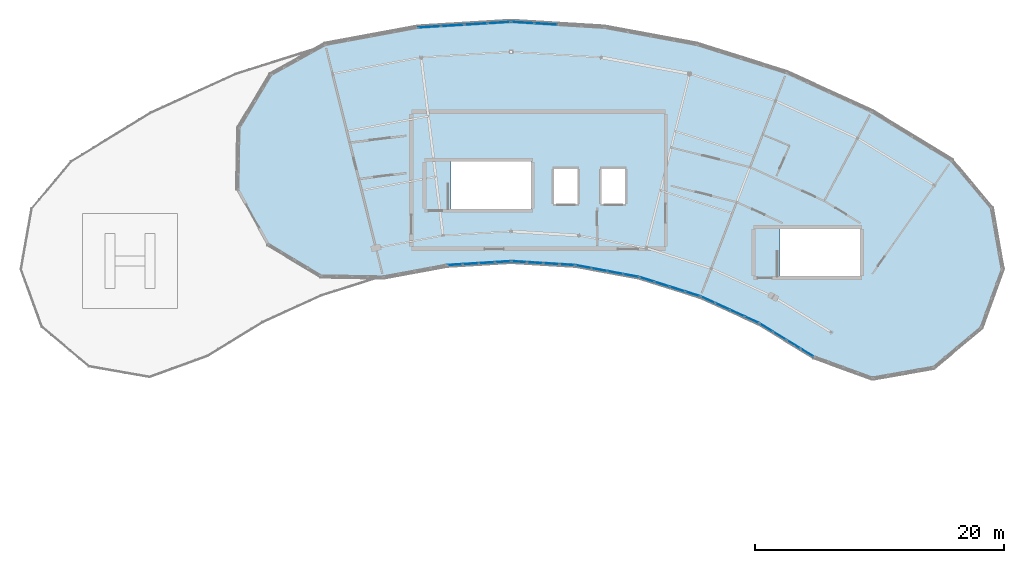
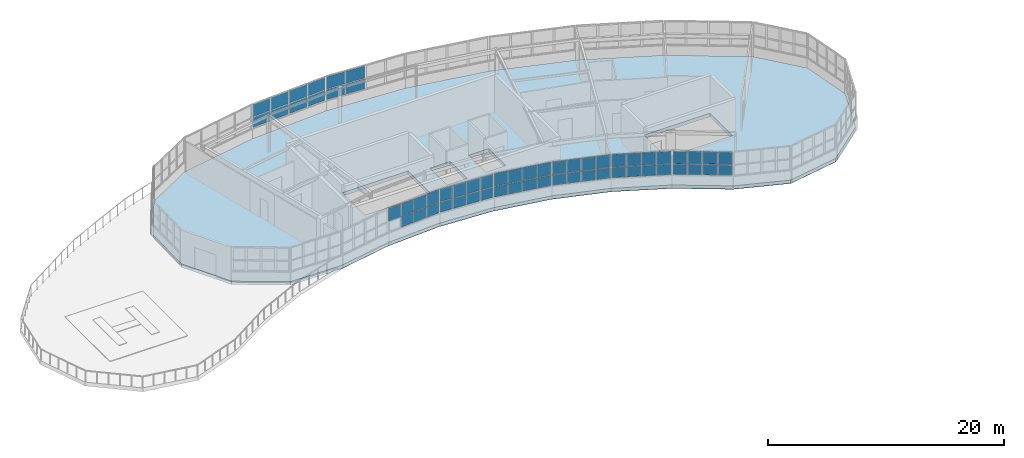
# One storey, part 17 of 26: 59 plates, 1 slab, 8 elements without a shape of their own.
"""IFC4 building model written with IfcOpenShell, lengths in metres."""

import ifcopenshell
import ifcopenshell.guid

model = None  # the IFC model being written
_history = None  # IfcOwnerHistory: only IFC2X3 demands one
_inside = {}  # id of a spatial element -> (the spatial element, [elements in it])
_under = {}  # id of a project, library or spatial element -> (it, [spatial elements below it])
_declared = {}  # id of a project -> (the project, [libraries it declares])
_typed = {}  # id of a type object -> (the type object, [elements of that type])
_made_of = {}  # id of a material, layer set ... -> (it, [elements and type objects made of it])


def new_model(schema):
    """Start an empty IFC model of exactly this schema.

    Asked for "IFC4X3", IfcOpenShell would pick the latest addendum, in which some entities
    have other attributes; the version numbers below select the first issue.
    IFC2X3 requires an IfcOwnerHistory on every rooted entity: one is made here for all.
    """
    global model, _history
    if schema == "IFC4X3":
        model = ifcopenshell.file(schema_version=(4, 3, 0, 0))
    else:
        model = ifcopenshell.file(schema=schema)
    _inside.clear()
    _under.clear()
    _declared.clear()
    _typed.clear()
    _made_of.clear()
    _history = None
    if model.schema == "IFC2X3":
        org = make("IfcOrganization", Name="unknown")
        user = make(
            "IfcPersonAndOrganization",
            ThePerson=make("IfcPerson", FamilyName="unknown"),
            TheOrganization=org,
        )
        app = make(
            "IfcApplication",
            ApplicationDeveloper=org,
            Version="unknown",
            ApplicationFullName="unknown",
            ApplicationIdentifier="unknown",
        )
        _history = make(
            "IfcOwnerHistory",
            OwningUser=user,
            OwningApplication=app,
            ChangeAction="ADDED",
            CreationDate=0,
        )
    return model


def make(cls, **values):
    """One entity of the class cls with the attributes given. An attribute that is None is left unset."""
    return model.create_entity(
        cls, **{name: value for name, value in values.items() if value is not None}
    )


def rooted(cls, **values):
    """An entity with a GlobalId (a new one), such as an element, a storey or a relation."""
    return make(cls, GlobalId=ifcopenshell.guid.new(), OwnerHistory=_history, **values)


def si_unit(unit_type, name, prefix=None):
    """IfcSIUnit, for example si_unit("LENGTHUNIT", "METRE", prefix="MILLI")."""
    return make("IfcSIUnit", UnitType=unit_type, Prefix=prefix, Name=name)


def assignment(units):
    """IfcUnitAssignment: the units of a project."""
    return None if units is None else make("IfcUnitAssignment", Units=units)


def point(xyz):
    """IfcCartesianPoint."""
    return None if xyz is None else make("IfcCartesianPoint", Coordinates=xyz)


def direction(xyz):
    """IfcDirection."""
    return None if xyz is None else make("IfcDirection", DirectionRatios=xyz)


def frame(location, z_axis=None, x_axis=None):
    """IfcAxis2Placement3D, a coordinate frame: its origin and axes. An axis left out is left unset."""
    return make(
        "IfcAxis2Placement3D",
        Location=point(location),
        Axis=direction(z_axis),
        RefDirection=direction(x_axis),
    )


def frame_2d(location, x_axis=None):
    """IfcAxis2Placement2D, a coordinate frame in the plane: its origin and x axis."""
    return make(
        "IfcAxis2Placement2D", Location=point(location), RefDirection=direction(x_axis)
    )


def origin():
    """The frame at (0, 0, 0) with its axes left unset."""
    return frame((0.0, 0.0, 0.0))


def origin_2d():
    """The frame at (0, 0) in the plane with its x axis left unset."""
    return frame_2d((0.0, 0.0))


def place(relative_to, where):
    """IfcLocalPlacement: puts the frame where relative to a parent placement (None: the world)."""
    return make(
        "IfcLocalPlacement", PlacementRelTo=relative_to, RelativePlacement=where
    )


def context(
    kind, dimensions, precision=None, world=None, true_north=None, identifier=None
):
    """IfcGeometricRepresentationContext, for example the 3D "Model" context."""
    return make(
        "IfcGeometricRepresentationContext",
        ContextIdentifier=identifier,
        ContextType=kind,
        CoordinateSpaceDimension=dimensions,
        Precision=precision,
        WorldCoordinateSystem=world,
        TrueNorth=true_north,
    )


def subcontext(parent, identifier, kind, view, scale=None):
    """IfcGeometricRepresentationSubContext, for example "Body" below "Model"."""
    return make(
        "IfcGeometricRepresentationSubContext",
        ContextIdentifier=identifier,
        ContextType=kind,
        ParentContext=parent,
        TargetScale=scale,
        TargetView=view,
    )


def project(units=None, contexts=None):
    """IfcProject with its units and contexts."""
    return rooted(
        "IfcProject",
        Name="project",
        RepresentationContexts=contexts,
        UnitsInContext=assignment(units),
    )


def spatial(cls, under=None, at=None, **own):
    """A site, building, storey or space (cls), placed at a placement, below another one or the project."""
    s = rooted(cls, ObjectPlacement=at, **own)
    if under is not None:
        _under.setdefault(under.id(), (under, []))[1].append(s)
    return s


def polyline(points):
    """IfcPolyline through the points."""
    return make("IfcPolyline", Points=[point(p) for p in points])


def profile(cls, at=None, kind="AREA", **sizes):
    """A parametric profile (cls). Its sizes go by their IFC names, for example OverallWidth=200.0."""
    return make(cls, ProfileType=kind, Position=at, **sizes)


def rectangle(**sizes):
    """IfcRectangleProfileDef."""
    return profile("IfcRectangleProfileDef", **sizes)


def outline(outer, holes=None, kind="AREA"):
    """IfcArbitraryClosedProfileDef: a profile drawn as a closed curve; with holes, ...WithVoids."""
    if holes is None:
        return make("IfcArbitraryClosedProfileDef", ProfileType=kind, OuterCurve=outer)
    return make(
        "IfcArbitraryProfileDefWithVoids",
        ProfileType=kind,
        OuterCurve=outer,
        InnerCurves=holes,
    )


def extrude(swept, where, along, depth):
    """IfcExtrudedAreaSolid: the profile swept, set in the frame where, extruded along a direction by depth."""
    return make(
        "IfcExtrudedAreaSolid",
        SweptArea=swept,
        Position=where,
        ExtrudedDirection=direction(along),
        Depth=depth,
    )


def shape(context_of_items, identifier, shape_type, items):
    """IfcShapeRepresentation: the items that make up one representation, for example the "Body"."""
    return make(
        "IfcShapeRepresentation",
        ContextOfItems=context_of_items,
        RepresentationIdentifier=identifier,
        RepresentationType=shape_type,
        Items=items,
    )


def material(Name=None, Category=None):
    """IfcMaterial."""
    return make("IfcMaterial", Name=Name, Category=Category)


def layer(
    of_material, thickness, ventilated=None, Name=None, Category=None, Priority=None
):
    """IfcMaterialLayer: one layer of a wall or slab, of a material (None: an air gap)."""
    return make(
        "IfcMaterialLayer",
        Material=of_material,
        LayerThickness=thickness,
        IsVentilated=ventilated,
        Name=Name,
        Category=Category,
        Priority=Priority,
    )


def layer_set(layers, Name=None):
    """IfcMaterialLayerSet."""
    return make("IfcMaterialLayerSet", MaterialLayers=layers, LayerSetName=Name)


def made_of(thing, what):
    """Note that an element or type object is made of a material, layer set ...; save() writes the relation."""
    if what is not None:
        _made_of.setdefault(what.id(), (what, []))[1].append(thing)
    return thing


def type_object(cls, material=None, **own):
    """A type object (cls), such as IfcWallType, which elements share."""
    return made_of(rooted(cls, **own), material)


def element(
    cls,
    number,
    at=None,
    inside=None,
    cuts=None,
    type_object=None,
    material=None,
    context=None,
    identifier="Body",
    shape_type=None,
    held_by="IfcProductDefinitionShape",
    body=None,
    shapes=None,
    **own,
):
    """One element of the class cls, such as IfcWall. Its Tag is "e" and its number.

    at: its placement. inside: the storey or other place that contains it. cuts: it is an
    opening in that element (IfcRelVoidsElement). A single representation is given by context,
    identifier, shape_type and body (its items); several are given by shapes. held_by: the class
    of the entity that holds the representations. save() writes the other relations.
    """
    e = rooted(cls, Tag="e%d" % number, ObjectPlacement=at, **own)
    if body is not None:
        shapes = [shape(context, identifier, shape_type, body)]
    if shapes is not None:
        e.Representation = make(held_by, Representations=shapes)
    if inside is not None:
        _inside.setdefault(inside.id(), (inside, []))[1].append(e)
    if cuts is not None:
        rooted(
            "IfcRelVoidsElement", RelatingBuildingElement=cuts, RelatedOpeningElement=e
        )
    if type_object is not None:
        _typed.setdefault(type_object.id(), (type_object, []))[1].append(e)
    return made_of(e, material)


def aggregate(whole, parts):
    """IfcRelAggregates: a whole, such as a stair, and the parts it consists of."""
    return rooted("IfcRelAggregates", RelatingObject=whole, RelatedObjects=parts)


def save(model, path):
    """Write the relations noted so far, then the file.

    IfcRelAggregates (storeys below a building ...), IfcRelContainedInSpatialStructure (elements
    in a storey), IfcRelDefinesByType, IfcRelAssociatesMaterial and IfcRelDeclares: one each for
    every whole, place, type object, material and project.
    """
    for whole, parts in _under.values():
        aggregate(whole, parts)
    for where, things in _inside.values():
        rooted(
            "IfcRelContainedInSpatialStructure",
            RelatedElements=things,
            RelatingStructure=where,
        )
    for kind, things in _typed.values():
        rooted("IfcRelDefinesByType", RelatedObjects=things, RelatingType=kind)
    for what, things in _made_of.values():
        rooted("IfcRelAssociatesMaterial", RelatedObjects=things, RelatingMaterial=what)
    for by, libraries in _declared.values():
        rooted("IfcRelDeclares", RelatingContext=by, RelatedDefinitions=libraries)
    model.write(path)


model = new_model("IFC4")

# Units and contexts
model_context = context("Model", 3, precision=1e-05, world=origin(), true_north=direction((0.0, 1.0)))
body_context = subcontext(model_context, "Body", "Model", "MODEL_VIEW")
ifc_project = project(units=[si_unit("LENGTHUNIT", "METRE"), si_unit("AREAUNIT", "SQUARE_METRE"), si_unit("VOLUMEUNIT", "CUBIC_METRE"), si_unit("PLANEANGLEUNIT", "RADIAN"), si_unit("MASSUNIT", "GRAM", prefix="KILO")], contexts=[model_context])

# Site, building, storey
site_placement = place(None, origin())
site = spatial("IfcSite", under=ifc_project, at=site_placement, CompositionType="ELEMENT")
building_placement = place(site_placement, origin())
building = spatial("IfcBuilding", under=site, at=building_placement, Name="Tarnwether General Hospital", CompositionType="ELEMENT")
storey_placement = place(building_placement, frame((0.0, 0.0, 30.0)))
storey = spatial("IfcBuildingStorey", under=building, at=storey_placement, Name="L07", CompositionType="ELEMENT", Elevation=30.0)

# Curtain wall, plates
ifc_material_1 = material(Name="Anodised aluminium", Category="aluminium")
ifc_layer_1 = layer(ifc_material_1, 0.159912109375)
ifc_layer_set_1 = layer_set([ifc_layer_1], Name="Anodised aluminium")
curtain_wall_type_1 = type_object("IfcCurtainWallType", Name="CW-03", PredefinedType="NOTDEFINED", material=ifc_layer_set_1)
curtain_wall_1_placement = place(storey_placement, origin())
curtain_wall_1 = element("IfcCurtainWall", 1, at=curtain_wall_1_placement, inside=storey, type_object=curtain_wall_type_1, Name="Curtain Wall CWG-L07-972_1051-0135", PredefinedType="NOTDEFINED")
ifc_material_2 = material(Name="Double glazed low-E glass", Category="glass")
ifc_layer_2 = layer(ifc_material_2, 0.028076171875)
ifc_layer_set_2 = layer_set([ifc_layer_2], Name="Double glazed low-E glass")
plate_type_1 = type_object("IfcPlateType", Name="PT-CWP1", PredefinedType="CURTAIN_PANEL", material=ifc_layer_set_2)
plate_1_placement = place(storey_placement, frame((96.501220703125, 105.124755859375, 1.1298828125), z_axis=(0.0, 0.0, 1.0), x_axis=(-0.998135119267, 0.06104329354, 0.0)))
plate_1 = element("IfcPlate", 2, at=plate_1_placement, type_object=plate_type_1, Name="CW-03 panel 1.1", PredefinedType="CURTAIN_PANEL", context=body_context, shape_type="SweptSolid", body=[
    extrude(rectangle(XDim=1.174072265625, YDim=0.028076171875, at=origin_2d()), origin(), (0.0, 0.0, 1.0), 1.013916015625),
])
plate_2_placement = place(storey_placement, frame((96.501220703125, 105.124755859375, 2.223876953125), z_axis=(0.0, 0.0, 1.0), x_axis=(-0.998135119267, 0.06104329354, 0.0)))
plate_2 = element("IfcPlate", 3, at=plate_2_placement, type_object=plate_type_1, Name="CW-03 panel 1.2", PredefinedType="CURTAIN_PANEL", context=body_context, shape_type="SweptSolid", body=[
    extrude(rectangle(XDim=1.174072265625, YDim=0.028076171875, at=origin_2d()), origin(), (0.0, 0.0, 1.0), 1.26611328125),
])
plate_3_placement = place(storey_placement, frame((95.2294921875, 105.202392578125, 1.1298828125), z_axis=(0.0, 0.0, 1.0), x_axis=(-0.998135119267, 0.06104329354, 0.0)))
plate_3 = element("IfcPlate", 4, at=plate_3_placement, type_object=plate_type_1, Name="CW-03 panel 2.1", PredefinedType="CURTAIN_PANEL", context=body_context, shape_type="SweptSolid", body=[
    extrude(rectangle(XDim=1.214111328125, YDim=0.028076171875, at=origin_2d()), origin(), (0.0, 0.0, 1.0), 1.013916015625),
])
plate_4_placement = place(storey_placement, frame((95.2294921875, 105.202392578125, 2.223876953125), z_axis=(0.0, 0.0, 1.0), x_axis=(-0.998135119267, 0.06104329354, 0.0)))
plate_4 = element("IfcPlate", 5, at=plate_4_placement, type_object=plate_type_1, Name="CW-03 panel 2.2", PredefinedType="CURTAIN_PANEL", context=body_context, shape_type="SweptSolid", body=[
    extrude(rectangle(XDim=1.214111328125, YDim=0.028076171875, at=origin_2d()), origin(), (0.0, 0.0, 1.0), 1.26611328125),
])
plate_5_placement = place(storey_placement, frame((93.937744140625, 105.281494140625, 1.1298828125), z_axis=(0.0, 0.0, 1.0), x_axis=(-0.998135119267, 0.06104329354, 0.0)))
plate_5 = element("IfcPlate", 6, at=plate_5_placement, type_object=plate_type_1, Name="CW-03 panel 3.1", PredefinedType="CURTAIN_PANEL", context=body_context, shape_type="SweptSolid", body=[
    extrude(rectangle(XDim=1.214111328125, YDim=0.028076171875, at=origin_2d()), origin(), (0.0, 0.0, 1.0), 1.013916015625),
])
plate_6_placement = place(storey_placement, frame((93.937744140625, 105.281494140625, 2.223876953125), z_axis=(0.0, 0.0, 1.0), x_axis=(-0.998135119267, 0.06104329354, 0.0)))
plate_6 = element("IfcPlate", 7, at=plate_6_placement, type_object=plate_type_1, Name="CW-03 panel 3.2", PredefinedType="CURTAIN_PANEL", context=body_context, shape_type="SweptSolid", body=[
    extrude(rectangle(XDim=1.214111328125, YDim=0.028076171875, at=origin_2d()), origin(), (0.0, 0.0, 1.0), 1.26611328125),
])
plate_7_placement = place(storey_placement, frame((92.665771484375, 105.359375, 1.1298828125), z_axis=(0.0, 0.0, 1.0), x_axis=(-0.998135119267, 0.06104329354, 0.0)))
plate_7 = element("IfcPlate", 8, at=plate_7_placement, type_object=plate_type_1, Name="CW-03 panel 4.1", PredefinedType="CURTAIN_PANEL", context=body_context, shape_type="SweptSolid", body=[
    extrude(rectangle(XDim=1.174072265625, YDim=0.028076171875, at=origin_2d()), origin(), (0.0, 0.0, 1.0), 1.013916015625),
])
plate_8_placement = place(storey_placement, frame((92.665771484375, 105.359375, 2.223876953125), z_axis=(0.0, 0.0, 1.0), x_axis=(-0.998135119267, 0.06104329354, 0.0)))
plate_8 = element("IfcPlate", 9, at=plate_8_placement, type_object=plate_type_1, Name="CW-03 panel 4.2", PredefinedType="CURTAIN_PANEL", context=body_context, shape_type="SweptSolid", body=[
    extrude(rectangle(XDim=1.174072265625, YDim=0.028076171875, at=origin_2d()), origin(), (0.0, 0.0, 1.0), 1.26611328125),
])
aggregate(curtain_wall_1, [plate_1, plate_2, plate_3, plate_4, plate_5, plate_6, plate_7, plate_8])

curtain_wall_2_placement = place(storey_placement, origin())
curtain_wall_2 = element("IfcCurtainWall", 10, at=curtain_wall_2_placement, inside=storey, type_object=curtain_wall_type_1, Name="Curtain Wall CWG-L07-1023_1041-0136", PredefinedType="NOTDEFINED")
plate_9_placement = place(storey_placement, frame((101.60595703125, 104.26171875, 1.110107421875), z_axis=(0.0, 0.0, 1.0), x_axis=(-0.983267910924, 0.182165351666, 0.0)))
plate_9 = element("IfcPlate", 11, at=plate_9_placement, type_object=plate_type_1, Name="CW-03 panel 1.1", PredefinedType="CURTAIN_PANEL", context=body_context, shape_type="SweptSolid", body=[
    extrude(rectangle(XDim=1.2041015625, YDim=0.028076171875, at=origin_2d()), origin(), (0.0, 0.0, 1.0), 1.0439453125),
])
plate_10_placement = place(storey_placement, frame((101.60595703125, 104.26171875, 2.214111328125), z_axis=(0.0, 0.0, 1.0), x_axis=(-0.983267910924, 0.182165351666, 0.0)))
plate_10 = element("IfcPlate", 12, at=plate_10_placement, type_object=plate_type_1, Name="CW-03 panel 1.2", PredefinedType="CURTAIN_PANEL", context=body_context, shape_type="SweptSolid", body=[
    extrude(rectangle(XDim=1.2041015625, YDim=0.028076171875, at=origin_2d()), origin(), (0.0, 0.0, 1.0), 1.2958984375),
])
plate_11_placement = place(storey_placement, frame((100.34814453125, 104.49462890625, 1.110107421875), z_axis=(0.0, 0.0, 1.0), x_axis=(-0.983267910924, 0.182165351666, 0.0)))
plate_11 = element("IfcPlate", 13, at=plate_11_placement, type_object=plate_type_1, Name="CW-03 panel 2.1", PredefinedType="CURTAIN_PANEL", context=body_context, shape_type="SweptSolid", body=[
    extrude(rectangle(XDim=1.234130859375, YDim=0.028076171875, at=origin_2d()), origin(), (0.0, 0.0, 1.0), 1.0439453125),
])
plate_12_placement = place(storey_placement, frame((100.34814453125, 104.49462890625, 2.214111328125), z_axis=(0.0, 0.0, 1.0), x_axis=(-0.983267910924, 0.182165351666, 0.0)))
plate_12 = element("IfcPlate", 14, at=plate_12_placement, type_object=plate_type_1, Name="CW-03 panel 2.2", PredefinedType="CURTAIN_PANEL", context=body_context, shape_type="SweptSolid", body=[
    extrude(rectangle(XDim=1.234130859375, YDim=0.028076171875, at=origin_2d()), origin(), (0.0, 0.0, 1.0), 1.2958984375),
])
plate_13_placement = place(storey_placement, frame((99.07568359375, 104.73046875, 1.110107421875), z_axis=(0.0, 0.0, 1.0), x_axis=(-0.983267910924, 0.182165351666, 0.0)))
plate_13 = element("IfcPlate", 15, at=plate_13_placement, type_object=plate_type_1, Name="CW-03 panel 3.1", PredefinedType="CURTAIN_PANEL", context=body_context, shape_type="SweptSolid", body=[
    extrude(rectangle(XDim=1.234130859375, YDim=0.028076171875, at=origin_2d()), origin(), (0.0, 0.0, 1.0), 1.0439453125),
])
plate_14_placement = place(storey_placement, frame((99.07568359375, 104.73046875, 2.214111328125), z_axis=(0.0, 0.0, 1.0), x_axis=(-0.983267910924, 0.182165351666, 0.0)))
plate_14 = element("IfcPlate", 16, at=plate_14_placement, type_object=plate_type_1, Name="CW-03 panel 3.2", PredefinedType="CURTAIN_PANEL", context=body_context, shape_type="SweptSolid", body=[
    extrude(rectangle(XDim=1.234130859375, YDim=0.028076171875, at=origin_2d()), origin(), (0.0, 0.0, 1.0), 1.2958984375),
])
plate_15_placement = place(storey_placement, frame((97.818115234375, 104.96337890625, 1.110107421875), z_axis=(0.0, 0.0, 1.0), x_axis=(-0.983267910924, 0.182165351666, 0.0)))
plate_15 = element("IfcPlate", 17, at=plate_15_placement, type_object=plate_type_1, Name="CW-03 panel 4.1", PredefinedType="CURTAIN_PANEL", context=body_context, shape_type="SweptSolid", body=[
    extrude(rectangle(XDim=1.2041015625, YDim=0.028076171875, at=origin_2d()), origin(), (0.0, 0.0, 1.0), 1.0439453125),
])
plate_16_placement = place(storey_placement, frame((97.818115234375, 104.96337890625, 2.214111328125), z_axis=(0.0, 0.0, 1.0), x_axis=(-0.983267910924, 0.182165351666, 0.0)))
plate_16 = element("IfcPlate", 18, at=plate_16_placement, type_object=plate_type_1, Name="CW-03 panel 4.2", PredefinedType="CURTAIN_PANEL", context=body_context, shape_type="SweptSolid", body=[
    extrude(rectangle(XDim=1.2041015625, YDim=0.028076171875, at=origin_2d()), origin(), (0.0, 0.0, 1.0), 1.2958984375),
])
aggregate(curtain_wall_2, [plate_9, plate_10, plate_11, plate_12, plate_13, plate_14, plate_15, plate_16])

curtain_wall_3_placement = place(storey_placement, origin())
curtain_wall_3 = element("IfcCurtainWall", 19, at=curtain_wall_3_placement, inside=storey, type_object=curtain_wall_type_1, Name="Curtain Wall CWG-L07-1119_1004-0138", PredefinedType="NOTDEFINED")
plate_17_placement = place(storey_placement, frame((111.30224609375, 100.712158203125, 1.114990234375), z_axis=(0.0, 0.0, 1.0), x_axis=(-0.90995590549, 0.41470501572, 0.0)))
plate_17 = element("IfcPlate", 20, at=plate_17_placement, type_object=plate_type_1, Name="CW-03 panel 1.1", PredefinedType="CURTAIN_PANEL", context=body_context, shape_type="SweptSolid", body=[
    extrude(rectangle(XDim=1.19677734375, YDim=0.028076171875, at=origin_2d()), origin(), (0.0, 0.0, 1.0), 1.03662109375),
])
plate_18_placement = place(storey_placement, frame((111.30224609375, 100.712158203125, 2.216552734375), z_axis=(0.0, 0.0, 1.0), x_axis=(-0.90995590549, 0.41470501572, 0.0)))
plate_18 = element("IfcPlate", 21, at=plate_18_placement, type_object=plate_type_1, Name="CW-03 panel 1.2", PredefinedType="CURTAIN_PANEL", context=body_context, shape_type="SweptSolid", body=[
    extrude(rectangle(XDim=1.19677734375, YDim=0.028076171875, at=origin_2d()), origin(), (0.0, 0.0, 1.0), 1.28857421875),
])
plate_19_placement = place(storey_placement, frame((110.139404296875, 101.2421875, 1.114990234375), z_axis=(0.0, 0.0, 1.0), x_axis=(-0.90995590549, 0.41470501572, 0.0)))
plate_19 = element("IfcPlate", 22, at=plate_19_placement, type_object=plate_type_1, Name="CW-03 panel 2.1", PredefinedType="CURTAIN_PANEL", context=body_context, shape_type="SweptSolid", body=[
    extrude(rectangle(XDim=1.229248046875, YDim=0.028076171875, at=origin_2d()), origin(), (0.0, 0.0, 1.0), 1.03662109375),
])
plate_20_placement = place(storey_placement, frame((110.139404296875, 101.2421875, 2.216552734375), z_axis=(0.0, 0.0, 1.0), x_axis=(-0.90995590549, 0.41470501572, 0.0)))
plate_20 = element("IfcPlate", 23, at=plate_20_placement, type_object=plate_type_1, Name="CW-03 panel 2.2", PredefinedType="CURTAIN_PANEL", context=body_context, shape_type="SweptSolid", body=[
    extrude(rectangle(XDim=1.229248046875, YDim=0.028076171875, at=origin_2d()), origin(), (0.0, 0.0, 1.0), 1.28857421875),
])
plate_21_placement = place(storey_placement, frame((108.961669921875, 101.77880859375, 1.114990234375), z_axis=(0.0, 0.0, 1.0), x_axis=(-0.90995590549, 0.41470501572, 0.0)))
plate_21 = element("IfcPlate", 24, at=plate_21_placement, type_object=plate_type_1, Name="CW-03 panel 3.1", PredefinedType="CURTAIN_PANEL", context=body_context, shape_type="SweptSolid", body=[
    extrude(rectangle(XDim=1.229248046875, YDim=0.028076171875, at=origin_2d()), origin(), (0.0, 0.0, 1.0), 1.03662109375),
])
plate_22_placement = place(storey_placement, frame((108.961669921875, 101.77880859375, 2.216552734375), z_axis=(0.0, 0.0, 1.0), x_axis=(-0.90995590549, 0.41470501572, 0.0)))
plate_22 = element("IfcPlate", 25, at=plate_22_placement, type_object=plate_type_1, Name="CW-03 panel 3.2", PredefinedType="CURTAIN_PANEL", context=body_context, shape_type="SweptSolid", body=[
    extrude(rectangle(XDim=1.229248046875, YDim=0.028076171875, at=origin_2d()), origin(), (0.0, 0.0, 1.0), 1.28857421875),
])
plate_23_placement = place(storey_placement, frame((107.798583984375, 102.308837890625, 1.114990234375), z_axis=(0.0, 0.0, 1.0), x_axis=(-0.90995590549, 0.41470501572, 0.0)))
plate_23 = element("IfcPlate", 26, at=plate_23_placement, type_object=plate_type_1, Name="CW-03 panel 4.1", PredefinedType="CURTAIN_PANEL", context=body_context, shape_type="SweptSolid", body=[
    extrude(rectangle(XDim=1.19677734375, YDim=0.028076171875, at=origin_2d()), origin(), (0.0, 0.0, 1.0), 1.03662109375),
])
plate_24_placement = place(storey_placement, frame((107.798583984375, 102.308837890625, 2.216552734375), z_axis=(0.0, 0.0, 1.0), x_axis=(-0.90995590549, 0.41470501572, 0.0)))
plate_24 = element("IfcPlate", 27, at=plate_24_placement, type_object=plate_type_1, Name="CW-03 panel 4.2", PredefinedType="CURTAIN_PANEL", context=body_context, shape_type="SweptSolid", body=[
    extrude(rectangle(XDim=1.19677734375, YDim=0.028076171875, at=origin_2d()), origin(), (0.0, 0.0, 1.0), 1.28857421875),
])
aggregate(curtain_wall_3, [plate_17, plate_18, plate_19, plate_20, plate_21, plate_22, plate_23, plate_24])

curtain_wall_4_placement = place(storey_placement, origin())
curtain_wall_4 = element("IfcCurtainWall", 28, at=curtain_wall_4_placement, inside=storey, type_object=curtain_wall_type_1, Name="Curtain Wall CWG-L07-1163_977-0139", PredefinedType="NOTDEFINED")
plate_25_placement = place(storey_placement, frame((115.751220703125, 98.08056640625, 1.1298828125), z_axis=(0.0, 0.0, 1.0), x_axis=(-0.852631789198, 0.522512231483, 0.0)))
plate_25 = element("IfcPlate", 29, at=plate_25_placement, type_object=plate_type_1, Name="CW-03 panel 1.1", PredefinedType="CURTAIN_PANEL", context=body_context, shape_type="SweptSolid", body=[
    extrude(rectangle(XDim=1.17431640625, YDim=0.028076171875, at=origin_2d()), origin(), (0.0, 0.0, 1.0), 1.013916015625),
])
plate_26_placement = place(storey_placement, frame((115.751220703125, 98.08056640625, 2.223876953125), z_axis=(0.0, 0.0, 1.0), x_axis=(-0.852631789198, 0.522512231483, 0.0)))
plate_26 = element("IfcPlate", 30, at=plate_26_placement, type_object=plate_type_1, Name="CW-03 panel 1.2", PredefinedType="CURTAIN_PANEL", context=body_context, shape_type="SweptSolid", body=[
    extrude(rectangle(XDim=1.17431640625, YDim=0.028076171875, at=origin_2d()), origin(), (0.0, 0.0, 1.0), 1.26611328125),
])
plate_27_placement = place(storey_placement, frame((114.664794921875, 98.746337890625, 1.1298828125), z_axis=(0.0, 0.0, 1.0), x_axis=(-0.852631789198, 0.522512231483, 0.0)))
plate_27 = element("IfcPlate", 31, at=plate_27_placement, type_object=plate_type_1, Name="CW-03 panel 2.1", PredefinedType="CURTAIN_PANEL", context=body_context, shape_type="SweptSolid", body=[
    extrude(rectangle(XDim=1.214111328125, YDim=0.028076171875, at=origin_2d()), origin(), (0.0, 0.0, 1.0), 1.013916015625),
])
plate_28_placement = place(storey_placement, frame((114.664794921875, 98.746337890625, 2.223876953125), z_axis=(0.0, 0.0, 1.0), x_axis=(-0.852631789198, 0.522512231483, 0.0)))
plate_28 = element("IfcPlate", 32, at=plate_28_placement, type_object=plate_type_1, Name="CW-03 panel 2.2", PredefinedType="CURTAIN_PANEL", context=body_context, shape_type="SweptSolid", body=[
    extrude(rectangle(XDim=1.214111328125, YDim=0.028076171875, at=origin_2d()), origin(), (0.0, 0.0, 1.0), 1.26611328125),
])
plate_29_placement = place(storey_placement, frame((113.561279296875, 99.422607421875, 1.1298828125), z_axis=(0.0, 0.0, 1.0), x_axis=(-0.852631789198, 0.522512231483, 0.0)))
plate_29 = element("IfcPlate", 33, at=plate_29_placement, type_object=plate_type_1, Name="CW-03 panel 3.1", PredefinedType="CURTAIN_PANEL", context=body_context, shape_type="SweptSolid", body=[
    extrude(rectangle(XDim=1.214111328125, YDim=0.028076171875, at=origin_2d()), origin(), (0.0, 0.0, 1.0), 1.013916015625),
])
plate_30_placement = place(storey_placement, frame((113.561279296875, 99.422607421875, 2.223876953125), z_axis=(0.0, 0.0, 1.0), x_axis=(-0.852631789198, 0.522512231483, 0.0)))
plate_30 = element("IfcPlate", 34, at=plate_30_placement, type_object=plate_type_1, Name="CW-03 panel 3.2", PredefinedType="CURTAIN_PANEL", context=body_context, shape_type="SweptSolid", body=[
    extrude(rectangle(XDim=1.214111328125, YDim=0.028076171875, at=origin_2d()), origin(), (0.0, 0.0, 1.0), 1.26611328125),
])
plate_31_placement = place(storey_placement, frame((112.474853515625, 100.08837890625, 1.1298828125), z_axis=(0.0, 0.0, 1.0), x_axis=(-0.852631789198, 0.522512231483, 0.0)))
plate_31 = element("IfcPlate", 35, at=plate_31_placement, type_object=plate_type_1, Name="CW-03 panel 4.1", PredefinedType="CURTAIN_PANEL", context=body_context, shape_type="SweptSolid", body=[
    extrude(rectangle(XDim=1.17431640625, YDim=0.028076171875, at=origin_2d()), origin(), (0.0, 0.0, 1.0), 1.013916015625),
])
plate_32_placement = place(storey_placement, frame((112.474853515625, 100.08837890625, 2.223876953125), z_axis=(0.0, 0.0, 1.0), x_axis=(-0.852631789198, 0.522512231483, 0.0)))
plate_32 = element("IfcPlate", 36, at=plate_32_placement, type_object=plate_type_1, Name="CW-03 panel 4.2", PredefinedType="CURTAIN_PANEL", context=body_context, shape_type="SweptSolid", body=[
    extrude(rectangle(XDim=1.17431640625, YDim=0.028076171875, at=origin_2d()), origin(), (0.0, 0.0, 1.0), 1.26611328125),
])
aggregate(curtain_wall_4, [plate_25, plate_26, plate_27, plate_28, plate_29, plate_30, plate_31, plate_32])

ifc_material_3 = material(Name="Anodised aluminium", Category="aluminium")
ifc_layer_3 = layer(ifc_material_3, 0.179931640625)
ifc_layer_set_3 = layer_set([ifc_layer_3], Name="Anodised aluminium")
curtain_wall_type_2 = type_object("IfcCurtainWallType", Name="CW-07", PredefinedType="NOTDEFINED", material=ifc_layer_set_3)
curtain_wall_5_placement = place(storey_placement, origin())
curtain_wall_5 = element("IfcCurtainWall", 37, at=curtain_wall_5_placement, inside=storey, type_object=curtain_wall_type_2, Name="Curtain Wall CWG-L07-920_1246-0150", PredefinedType="NOTDEFINED")
plate_33_placement = place(storey_placement, frame((92.95458984375, 124.541748046875, 1.114990234375), z_axis=(0.0, 0.0, 1.0), x_axis=(0.998135995608, -0.061028962567, 0.0)))
plate_33 = element("IfcPlate", 38, at=plate_33_placement, type_object=plate_type_1, Name="CW-07 panel 1.1", PredefinedType="CURTAIN_PANEL", context=body_context, shape_type="SweptSolid", body=[
    extrude(rectangle(XDim=1.78271484375, YDim=0.028076171875, at=origin_2d()), origin(), (0.0, 0.0, 1.0), 1.03662109375),
])
plate_34_placement = place(storey_placement, frame((92.95458984375, 124.541748046875, 2.216552734375), z_axis=(0.0, 0.0, 1.0), x_axis=(0.998135995608, -0.061028962567, 0.0)))
plate_34 = element("IfcPlate", 39, at=plate_34_placement, type_object=plate_type_1, Name="CW-07 panel 1.2", PredefinedType="CURTAIN_PANEL", context=body_context, shape_type="SweptSolid", body=[
    extrude(rectangle(XDim=1.78271484375, YDim=0.028076171875, at=origin_2d()), origin(), (0.0, 0.0, 1.0), 1.28857421875),
])
plate_35_placement = place(storey_placement, frame((94.815185546875, 124.427978515625, 1.114990234375), z_axis=(0.0, 0.0, 1.0), x_axis=(0.998135995608, -0.061028962567, 0.0)))
plate_35 = element("IfcPlate", 40, at=plate_35_placement, type_object=plate_type_1, Name="CW-07 panel 2.1", PredefinedType="CURTAIN_PANEL", context=body_context, shape_type="SweptSolid", body=[
    extrude(rectangle(XDim=1.815185546875, YDim=0.028076171875, at=origin_2d()), origin(), (0.0, 0.0, 1.0), 1.03662109375),
])
plate_36_placement = place(storey_placement, frame((94.815185546875, 124.427978515625, 2.216552734375), z_axis=(0.0, 0.0, 1.0), x_axis=(0.998135995608, -0.061028962567, 0.0)))
plate_36 = element("IfcPlate", 41, at=plate_36_placement, type_object=plate_type_1, Name="CW-07 panel 2.2", PredefinedType="CURTAIN_PANEL", context=body_context, shape_type="SweptSolid", body=[
    extrude(rectangle(XDim=1.815185546875, YDim=0.028076171875, at=origin_2d()), origin(), (0.0, 0.0, 1.0), 1.28857421875),
])
aggregate(curtain_wall_5, [plate_33, plate_34, plate_35, plate_36])

curtain_wall_6_placement = place(storey_placement, origin())
curtain_wall_6 = element("IfcCurtainWall", 42, at=curtain_wall_6_placement, inside=storey, type_object=curtain_wall_type_2, Name="Curtain Wall CWG-L07-845_1241-0151", PredefinedType="NOTDEFINED")
plate_37_placement = place(storey_placement, frame((85.451416015625, 124.19970703125, 1.1298828125), z_axis=(0.0, 0.0, 1.0), x_axis=(0.998135995608, 0.061028962567, 0.0)))
plate_37 = element("IfcPlate", 43, at=plate_37_placement, type_object=plate_type_1, Name="CW-07 panel 1.1", PredefinedType="CURTAIN_PANEL", context=body_context, shape_type="SweptSolid", body=[
    extrude(rectangle(XDim=1.76025390625, YDim=0.028076171875, at=origin_2d()), origin(), (0.0, 0.0, 1.0), 1.013916015625),
])
plate_38_placement = place(storey_placement, frame((85.451416015625, 124.19970703125, 2.223876953125), z_axis=(0.0, 0.0, 1.0), x_axis=(0.998135995608, 0.061028962567, 0.0)))
plate_38 = element("IfcPlate", 44, at=plate_38_placement, type_object=plate_type_1, Name="CW-07 panel 1.2", PredefinedType="CURTAIN_PANEL", context=body_context, shape_type="SweptSolid", body=[
    extrude(rectangle(XDim=1.76025390625, YDim=0.028076171875, at=origin_2d()), origin(), (0.0, 0.0, 1.0), 1.26611328125),
])
plate_39_placement = place(storey_placement, frame((87.30810546875, 124.313232421875, 1.1298828125), z_axis=(0.0, 0.0, 1.0), x_axis=(0.998135995608, 0.061028962567, 0.0)))
plate_39 = element("IfcPlate", 45, at=plate_39_placement, type_object=plate_type_1, Name="CW-07 panel 2.1", PredefinedType="CURTAIN_PANEL", context=body_context, shape_type="SweptSolid", body=[
    extrude(rectangle(XDim=1.80029296875, YDim=0.028076171875, at=origin_2d()), origin(), (0.0, 0.0, 1.0), 1.013916015625),
])
plate_40_placement = place(storey_placement, frame((87.30810546875, 124.313232421875, 2.223876953125), z_axis=(0.0, 0.0, 1.0), x_axis=(0.998135995608, 0.061028962567, 0.0)))
plate_40 = element("IfcPlate", 46, at=plate_40_placement, type_object=plate_type_1, Name="CW-07 panel 2.2", PredefinedType="CURTAIN_PANEL", context=body_context, shape_type="SweptSolid", body=[
    extrude(rectangle(XDim=1.80029296875, YDim=0.028076171875, at=origin_2d()), origin(), (0.0, 0.0, 1.0), 1.26611328125),
])
plate_41_placement = place(storey_placement, frame((89.184814453125, 124.427978515625, 1.1298828125), z_axis=(0.0, 0.0, 1.0), x_axis=(0.998135995608, 0.061028962567, 0.0)))
plate_41 = element("IfcPlate", 47, at=plate_41_placement, type_object=plate_type_1, Name="CW-07 panel 3.1", PredefinedType="CURTAIN_PANEL", context=body_context, shape_type="SweptSolid", body=[
    extrude(rectangle(XDim=1.80029296875, YDim=0.028076171875, at=origin_2d()), origin(), (0.0, 0.0, 1.0), 1.013916015625),
])
plate_42_placement = place(storey_placement, frame((89.184814453125, 124.427978515625, 2.223876953125), z_axis=(0.0, 0.0, 1.0), x_axis=(0.998135995608, 0.061028962567, 0.0)))
plate_42 = element("IfcPlate", 48, at=plate_42_placement, type_object=plate_type_1, Name="CW-07 panel 3.2", PredefinedType="CURTAIN_PANEL", context=body_context, shape_type="SweptSolid", body=[
    extrude(rectangle(XDim=1.80029296875, YDim=0.028076171875, at=origin_2d()), origin(), (0.0, 0.0, 1.0), 1.26611328125),
])
plate_43_placement = place(storey_placement, frame((91.041748046875, 124.54150390625, 1.1298828125), z_axis=(0.0, 0.0, 1.0), x_axis=(0.998135995608, 0.061028962567, 0.0)))
plate_43 = element("IfcPlate", 49, at=plate_43_placement, type_object=plate_type_1, Name="CW-07 panel 4.1", PredefinedType="CURTAIN_PANEL", context=body_context, shape_type="SweptSolid", body=[
    extrude(rectangle(XDim=1.76025390625, YDim=0.028076171875, at=origin_2d()), origin(), (0.0, 0.0, 1.0), 1.013916015625),
])
plate_44_placement = place(storey_placement, frame((91.041748046875, 124.54150390625, 2.223876953125), z_axis=(0.0, 0.0, 1.0), x_axis=(0.998135995608, 0.061028962567, 0.0)))
plate_44 = element("IfcPlate", 50, at=plate_44_placement, type_object=plate_type_1, Name="CW-07 panel 4.2", PredefinedType="CURTAIN_PANEL", context=body_context, shape_type="SweptSolid", body=[
    extrude(rectangle(XDim=1.76025390625, YDim=0.028076171875, at=origin_2d()), origin(), (0.0, 0.0, 1.0), 1.26611328125),
])
aggregate(curtain_wall_6, [plate_37, plate_38, plate_39, plate_40, plate_41, plate_42, plate_43, plate_44])

curtain_wall_7_placement = place(storey_placement, origin())
curtain_wall_7 = element("IfcCurtainWall", 51, at=curtain_wall_7_placement, inside=storey, type_object=curtain_wall_type_1, Name="Curtain Wall CWG-L07-920_1054-0134", PredefinedType="NOTDEFINED")
ifc_material_4 = material(Name="Double glazed low-E glass", Category="glass")
ifc_layer_4 = layer(ifc_material_4, 0.035888671875)
ifc_layer_set_4 = layer_set([ifc_layer_4], Name="Double glazed low-E glass")
plate_type_2 = type_object("IfcPlateType", Name="PT-CWP2", PredefinedType="CURTAIN_PANEL", material=ifc_layer_set_4)
plate_45_placement = place(storey_placement, frame((91.337890625, 105.359619140625, 1.114990234375), z_axis=(0.0, 0.0, 1.0), x_axis=(-0.998135119267, -0.06104329354, 0.0)))
plate_45 = element("IfcPlate", 52, at=plate_45_placement, type_object=plate_type_2, Name="CW-03 panel 1.1", PredefinedType="CURTAIN_PANEL", context=body_context, shape_type="SweptSolid", body=[
    extrude(rectangle(XDim=1.19677734375, YDim=0.035888671875, at=origin_2d()), origin(), (0.0, 0.0, 1.0), 1.03662109375),
])
plate_46_placement = place(storey_placement, frame((91.337890625, 105.359619140625, 2.216552734375), z_axis=(0.0, 0.0, 1.0), x_axis=(-0.998135119267, -0.06104329354, 0.0)))
plate_46 = element("IfcPlate", 53, at=plate_46_placement, type_object=plate_type_2, Name="CW-03 panel 1.2", PredefinedType="CURTAIN_PANEL", context=body_context, shape_type="SweptSolid", body=[
    extrude(rectangle(XDim=1.19677734375, YDim=0.035888671875, at=origin_2d()), origin(), (0.0, 0.0, 1.0), 1.28857421875),
])
plate_47_placement = place(storey_placement, frame((90.062255859375, 105.281494140625, 1.114990234375), z_axis=(0.0, 0.0, 1.0), x_axis=(-0.998135119267, -0.06104329354, 0.0)))
plate_47 = element("IfcPlate", 54, at=plate_47_placement, type_object=plate_type_2, Name="CW-03 panel 2.1", PredefinedType="CURTAIN_PANEL", context=body_context, shape_type="SweptSolid", body=[
    extrude(rectangle(XDim=1.229248046875, YDim=0.035888671875, at=origin_2d()), origin(), (0.0, 0.0, 1.0), 1.03662109375),
])
plate_48_placement = place(storey_placement, frame((90.062255859375, 105.281494140625, 2.216552734375), z_axis=(0.0, 0.0, 1.0), x_axis=(-0.998135119267, -0.06104329354, 0.0)))
plate_48 = element("IfcPlate", 55, at=plate_48_placement, type_object=plate_type_2, Name="CW-03 panel 2.2", PredefinedType="CURTAIN_PANEL", context=body_context, shape_type="SweptSolid", body=[
    extrude(rectangle(XDim=1.229248046875, YDim=0.035888671875, at=origin_2d()), origin(), (0.0, 0.0, 1.0), 1.28857421875),
])
plate_49_placement = place(storey_placement, frame((88.7705078125, 105.202392578125, 1.114990234375), z_axis=(0.0, 0.0, 1.0), x_axis=(-0.998135119267, -0.06104329354, 0.0)))
plate_49 = element("IfcPlate", 56, at=plate_49_placement, type_object=plate_type_2, Name="CW-03 panel 3.1", PredefinedType="CURTAIN_PANEL", context=body_context, shape_type="SweptSolid", body=[
    extrude(rectangle(XDim=1.229248046875, YDim=0.035888671875, at=origin_2d()), origin(), (0.0, 0.0, 1.0), 1.03662109375),
])
plate_50_placement = place(storey_placement, frame((88.7705078125, 105.202392578125, 2.216552734375), z_axis=(0.0, 0.0, 1.0), x_axis=(-0.998135119267, -0.06104329354, 0.0)))
plate_50 = element("IfcPlate", 57, at=plate_50_placement, type_object=plate_type_2, Name="CW-03 panel 3.2", PredefinedType="CURTAIN_PANEL", context=body_context, shape_type="SweptSolid", body=[
    extrude(rectangle(XDim=1.229248046875, YDim=0.035888671875, at=origin_2d()), origin(), (0.0, 0.0, 1.0), 1.28857421875),
])
plate_51_placement = place(storey_placement, frame((87.4951171875, 105.12451171875, 2.216552734375), z_axis=(0.0, 0.0, 1.0), x_axis=(-0.998135119267, -0.06104329354, 0.0)))
plate_51 = element("IfcPlate", 58, at=plate_51_placement, type_object=plate_type_2, Name="CW-03 panel 4.2", PredefinedType="CURTAIN_PANEL", context=body_context, shape_type="SweptSolid", body=[
    extrude(rectangle(XDim=1.19677734375, YDim=0.035888671875, at=origin_2d()), origin(), (0.0, 0.0, 1.0), 1.28857421875),
])
aggregate(curtain_wall_7, [plate_45, plate_46, plate_47, plate_48, plate_49, plate_50, plate_51])

curtain_wall_8_placement = place(storey_placement, origin())
curtain_wall_8 = element("IfcCurtainWall", 59, at=curtain_wall_8_placement, inside=storey, type_object=curtain_wall_type_1, Name="Curtain Wall CWG-L07-1072_1026-0137", PredefinedType="NOTDEFINED")
plate_52_placement = place(storey_placement, frame((106.56103515625, 102.783935546875, 1.1201171875), z_axis=(0.0, 0.0, 1.0), x_axis=(-0.953713927508, 0.30071538783, 0.0)))
plate_52 = element("IfcPlate", 60, at=plate_52_placement, type_object=plate_type_2, Name="CW-03 panel 1.1", PredefinedType="CURTAIN_PANEL", context=body_context, shape_type="SweptSolid", body=[
    extrude(rectangle(XDim=1.189453125, YDim=0.035888671875, at=origin_2d()), origin(), (0.0, 0.0, 1.0), 1.029052734375),
])
plate_53_placement = place(storey_placement, frame((106.56103515625, 102.783935546875, 2.21923828125), z_axis=(0.0, 0.0, 1.0), x_axis=(-0.953713927508, 0.30071538783, 0.0)))
plate_53 = element("IfcPlate", 61, at=plate_53_placement, type_object=plate_type_2, Name="CW-03 panel 1.2", PredefinedType="CURTAIN_PANEL", context=body_context, shape_type="SweptSolid", body=[
    extrude(rectangle(XDim=1.189453125, YDim=0.035888671875, at=origin_2d()), origin(), (0.0, 0.0, 1.0), 1.281005859375),
])
plate_54_placement = place(storey_placement, frame((105.34326171875, 103.16796875, 1.1201171875), z_axis=(0.0, 0.0, 1.0), x_axis=(-0.953713927508, 0.30071538783, 0.0)))
plate_54 = element("IfcPlate", 62, at=plate_54_placement, type_object=plate_type_2, Name="CW-03 panel 2.1", PredefinedType="CURTAIN_PANEL", context=body_context, shape_type="SweptSolid", body=[
    extrude(rectangle(XDim=1.224365234375, YDim=0.035888671875, at=origin_2d()), origin(), (0.0, 0.0, 1.0), 1.029052734375),
])
plate_55_placement = place(storey_placement, frame((105.34326171875, 103.16796875, 2.21923828125), z_axis=(0.0, 0.0, 1.0), x_axis=(-0.953713927508, 0.30071538783, 0.0)))
plate_55 = element("IfcPlate", 63, at=plate_55_placement, type_object=plate_type_2, Name="CW-03 panel 2.2", PredefinedType="CURTAIN_PANEL", context=body_context, shape_type="SweptSolid", body=[
    extrude(rectangle(XDim=1.224365234375, YDim=0.035888671875, at=origin_2d()), origin(), (0.0, 0.0, 1.0), 1.281005859375),
])
plate_56_placement = place(storey_placement, frame((104.108642578125, 103.55712890625, 1.1201171875), z_axis=(0.0, 0.0, 1.0), x_axis=(-0.953713927508, 0.30071538783, 0.0)))
plate_56 = element("IfcPlate", 64, at=plate_56_placement, type_object=plate_type_2, Name="CW-03 panel 3.1", PredefinedType="CURTAIN_PANEL", context=body_context, shape_type="SweptSolid", body=[
    extrude(rectangle(XDim=1.224365234375, YDim=0.035888671875, at=origin_2d()), origin(), (0.0, 0.0, 1.0), 1.029052734375),
])
plate_57_placement = place(storey_placement, frame((104.108642578125, 103.55712890625, 2.21923828125), z_axis=(0.0, 0.0, 1.0), x_axis=(-0.953713927508, 0.30071538783, 0.0)))
plate_57 = element("IfcPlate", 65, at=plate_57_placement, type_object=plate_type_2, Name="CW-03 panel 3.2", PredefinedType="CURTAIN_PANEL", context=body_context, shape_type="SweptSolid", body=[
    extrude(rectangle(XDim=1.224365234375, YDim=0.035888671875, at=origin_2d()), origin(), (0.0, 0.0, 1.0), 1.281005859375),
])
plate_58_placement = place(storey_placement, frame((102.890869140625, 103.941162109375, 1.1201171875), z_axis=(0.0, 0.0, 1.0), x_axis=(-0.953713927508, 0.30071538783, 0.0)))
plate_58 = element("IfcPlate", 66, at=plate_58_placement, type_object=plate_type_2, Name="CW-03 panel 4.1", PredefinedType="CURTAIN_PANEL", context=body_context, shape_type="SweptSolid", body=[
    extrude(rectangle(XDim=1.189453125, YDim=0.035888671875, at=origin_2d()), origin(), (0.0, 0.0, 1.0), 1.029052734375),
])
plate_59_placement = place(storey_placement, frame((102.890869140625, 103.941162109375, 2.21923828125), z_axis=(0.0, 0.0, 1.0), x_axis=(-0.953713927508, 0.30071538783, 0.0)))
plate_59 = element("IfcPlate", 67, at=plate_59_placement, type_object=plate_type_2, Name="CW-03 panel 4.2", PredefinedType="CURTAIN_PANEL", context=body_context, shape_type="SweptSolid", body=[
    extrude(rectangle(XDim=1.189453125, YDim=0.035888671875, at=origin_2d()), origin(), (0.0, 0.0, 1.0), 1.281005859375),
])
aggregate(curtain_wall_8, [plate_52, plate_53, plate_54, plate_55, plate_56, plate_57, plate_58, plate_59])

# Slab
ifc_material_5 = material(Name="Concrete 40 MPa", Category="concrete")
ifc_layer_5 = layer(ifc_material_5, 0.35498046875)
ifc_layer_set_5 = layer_set([ifc_layer_5], Name="Concrete 40 MPa")
slab_type = type_object("IfcSlabType", Name="SL-FL220", PredefinedType="FLOOR", material=ifc_layer_set_5)
slab_placement = place(storey_placement, frame((0.0, 0.0, -0.35498046875)))
element("IfcSlab", 68, at=slab_placement, inside=storey, type_object=slab_type, Name="L07 North-West Rehabilitation Ward and Trauma Lobby Floor SL-L07-WNW", PredefinedType="FLOOR", context=body_context, shape_type="SweptSolid", body=[
    extrude(outline(polyline([(77.097900390625, 122.77001953125), (84.492919921875, 124.14111328125), (92.0, 124.60009765625), (99.507080078125, 124.14111328125), (106.902099609375, 122.77001953125), (114.074951171875, 120.509033203125), (120.9189453125, 117.389892578125), (127.33203125, 113.4599609375), (130.527099609375, 109.653076171875), (131.388916015625, 104.759033203125), (129.68994140625, 100.090087890625), (125.883056640625, 96.89501953125), (120.989013671875, 96.031982421875), (116.320068359375, 97.73193359375), (111.906005859375, 100.43701171875), (107.195068359375, 102.583984375), (102.257080078125, 104.14111328125), (97.1669921875, 105.083984375), (92.0, 105.39990234375), (86.8330078125, 105.083984375), (81.742919921875, 104.14111328125), (76.77392578125, 104.22705078125), (72.513916015625, 106.787109375), (70.10498046875, 111.133056640625), (70.19189453125, 116.10107421875), (72.7509765625, 120.361083984375), (77.097900390625, 122.77001953125)]), holes=[polyline([(113.580078125, 104.199951171875), (120.0, 104.199951171875), (120.0, 108.0), (113.580078125, 108.0), (113.580078125, 104.199951171875)]), polyline([(95.419921875, 109.969970703125), (97.3798828125, 109.969970703125), (97.3798828125, 112.830078125), (95.419921875, 112.830078125), (95.419921875, 109.969970703125)]), polyline([(99.219970703125, 109.969970703125), (101.179931640625, 109.969970703125), (101.179931640625, 112.830078125), (99.219970703125, 112.830078125), (99.219970703125, 109.969970703125)]), polyline([(87.179931640625, 109.60009765625), (93.60009765625, 109.60009765625), (93.60009765625, 113.39990234375), (87.179931640625, 113.39990234375), (87.179931640625, 109.60009765625)])]), origin(), (0.0, 0.0, 1.0), 0.35498046875),
])

save(model, "model.ifc")
